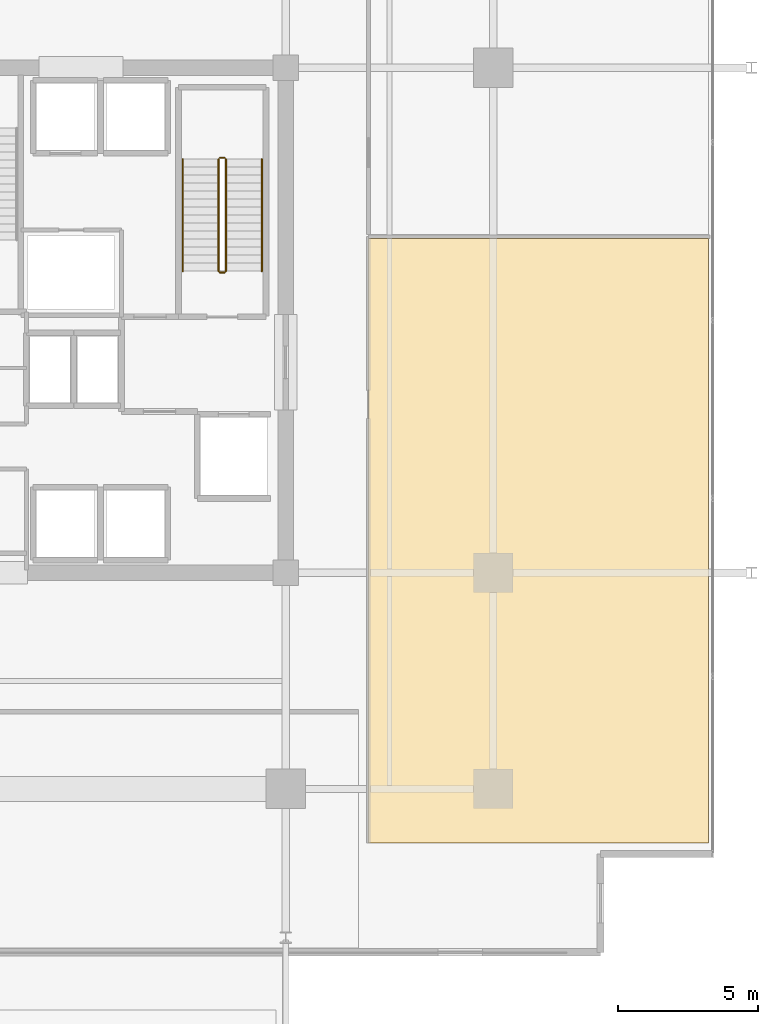
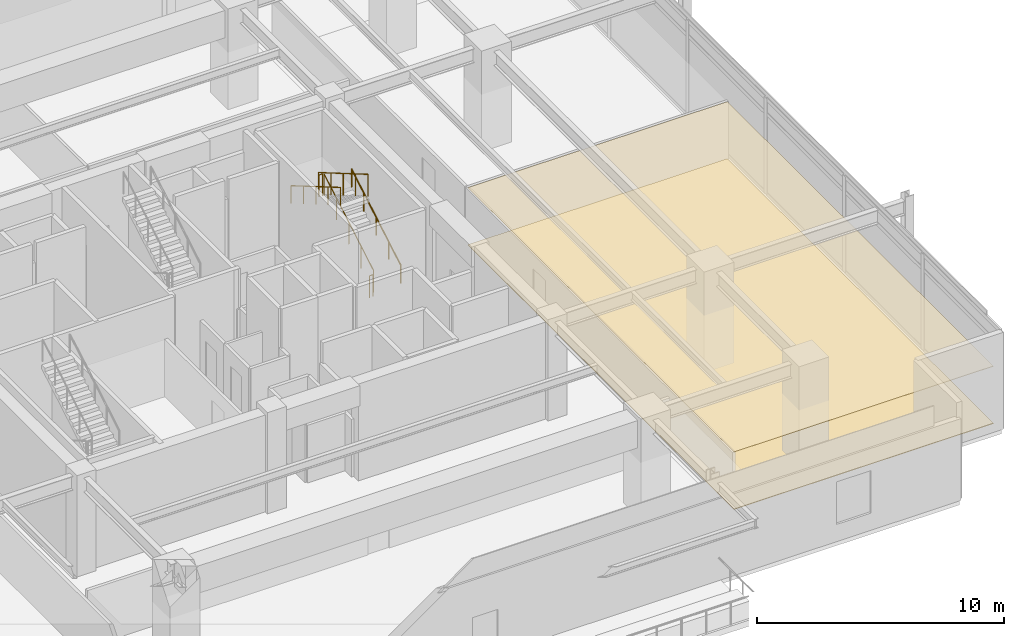
# One storey, part 19 of 21: 6 railings, 2 coverings.
"""IFC4 building model written with IfcOpenShell, lengths in metres."""

from ifc_helpers import new_model, si_unit, direction, frame, origin, origin_2d, place, context, subcontext, project, spatial, polyline, circle, outline, extrude, material, layer, layer_set, type_object, element, save


model = new_model("IFC4")

# Units and contexts
model_context = context("Model", 3, precision=1e-05, world=origin(), true_north=direction((0.0, 1.0)))
body_context = subcontext(model_context, "Body", "Model", "MODEL_VIEW")
ifc_project = project(units=[si_unit("LENGTHUNIT", "METRE"), si_unit("AREAUNIT", "SQUARE_METRE"), si_unit("VOLUMEUNIT", "CUBIC_METRE"), si_unit("PLANEANGLEUNIT", "RADIAN"), si_unit("MASSUNIT", "GRAM", prefix="KILO")], contexts=[model_context])

# Site, building, storey
site_placement = place(None, origin())
site = spatial("IfcSite", under=ifc_project, at=site_placement, CompositionType="ELEMENT")
building_placement = place(site_placement, origin())
building = spatial("IfcBuilding", under=site, at=building_placement, Name="Kovane Verandah Tower", CompositionType="ELEMENT")
storey_placement = place(building_placement, frame((0.0, 0.0, 238.199951171875)))
storey = spatial("IfcBuildingStorey", under=building, at=storey_placement, Name="L55", CompositionType="ELEMENT", Elevation=238.199951171875)

# Coverings
ifc_material_1 = material(Name="Perforated Acoustic Mineral-Fibre Ceiling Tile", Category="gypsum")
ifc_layer_1 = layer(ifc_material_1, 0.02490234375)
ifc_layer_set_1 = layer_set([ifc_layer_1], Name="Perforated Acoustic Mineral-Fibre Ceiling Tile")
covering_type_1 = type_object("IfcCoveringType", Name="CV-CEIL-25", PredefinedType="CEILING", material=ifc_layer_set_1)
covering_1_placement = place(storey_placement, frame((0.0, 0.0, 2.824951171875)))
element("IfcCovering", 1, at=covering_1_placement, inside=storey, type_object=covering_type_1, Name="L55 Open Plan Office E1 Acoustic Ceiling", PredefinedType="CEILING", context=body_context, shape_type="SweptSolid", body=[
    extrude(outline(polyline([(53.949951171875, 8.876708984375), (66.070556640625, 8.876708984375), (66.070556640625, 30.40966796875), (53.949951171875, 30.40966796875), (53.949951171875, 8.876708984375)])), origin(), (0.0, 0.0, 1.0), 0.025146484375),
])
ifc_material_2 = material(Name="Polished Terrazzo and Raised-Access Carpet Tile Finish", Category="concrete")
ifc_layer_2 = layer(ifc_material_2, 0.030029296875)
ifc_layer_set_2 = layer_set([ifc_layer_2], Name="Polished Terrazzo and Raised-Access Carpet Tile Finish")
covering_type_2 = type_object("IfcCoveringType", Name="CV-FLOR-30", PredefinedType="FLOORING", material=ifc_layer_set_2)
covering_2_placement = place(storey_placement, origin())
element("IfcCovering", 2, at=covering_2_placement, inside=storey, type_object=covering_type_2, Name="L55 Open Plan Office E1 Floor Finish", PredefinedType="FLOORING", context=body_context, shape_type="SweptSolid", body=[
    extrude(outline(polyline([(53.949951171875, 8.876708984375), (66.070556640625, 8.876708984375), (66.070556640625, 30.40966796875), (53.949951171875, 30.40966796875), (53.949951171875, 8.876708984375)])), origin(), (0.0, 0.0, 1.0), 0.030029296875),
])

# Railings
ifc_material_3 = material(Name="Brushed Stainless Steel Handrail", Category="steel")
railing_type_1 = type_object("IfcRailingType", Name="RL-HAND-920", PredefinedType="HANDRAIL", material=ifc_material_3)
railing_1_placement = place(storey_placement, frame((50.14990234375, 29.25, 0.166748046875)))
element("IfcRailing", 3, at=railing_1_placement, inside=storey, type_object=railing_type_1, Name="L55 ST-02 stair handrail 1", PredefinedType="HANDRAIL", context=body_context, shape_type="SweptSolid", body=[
    extrude(circle(Radius=0.02392578125, at=origin_2d()), frame((0.0, 0.0, 0.8759765625), z_axis=(0.0, 0.863236243904, 0.504800145811), x_axis=(-1.0, 0.0, 0.0)), (0.0, 0.0, 1.0), 4.6220703125),
    extrude(circle(Radius=0.02099609375, at=origin_2d()), origin(), (0.0, 0.0, 1.0), 0.851806640625),
    extrude(circle(Radius=0.02099609375, at=origin_2d()), frame((0.0, 0.99755859375, 0.583251953125)), (0.0, 0.0, 1.0), 0.851806640625),
    extrude(circle(Radius=0.02099609375, at=origin_2d()), frame((0.0, 1.9951171875, 1.16650390625)), (0.0, 0.0, 1.0), 0.851806640625),
    extrude(circle(Radius=0.02099609375, at=origin_2d()), frame((0.0, 2.992431640625, 1.75)), (0.0, 0.0, 1.0), 0.851806640625),
    extrude(circle(Radius=0.02099609375, at=origin_2d()), frame((0.0, 3.989990234375, 2.333251953125)), (0.0, 0.0, 1.0), 0.851806640625),
])
railing_2_placement = place(storey_placement, frame((47.330078125, 33.239990234375, 2.666748046875)))
element("IfcRailing", 4, at=railing_2_placement, inside=storey, type_object=railing_type_1, Name="L55 ST-02 stair handrail 2", PredefinedType="HANDRAIL", context=body_context, shape_type="SweptSolid", body=[
    extrude(circle(Radius=0.02392578125, at=origin_2d()), frame((0.0, 0.0, 0.8759765625), z_axis=(0.0, -0.863236243904, 0.504800145811), x_axis=(1.0, 0.0, 0.0)), (0.0, 0.0, 1.0), 4.6220703125),
    extrude(circle(Radius=0.02099609375, at=origin_2d()), origin(), (0.0, 0.0, 1.0), 0.851806640625),
    extrude(circle(Radius=0.02099609375, at=origin_2d()), frame((0.0, -0.99755859375, 0.583251953125)), (0.0, 0.0, 1.0), 0.851806640625),
    extrude(circle(Radius=0.02099609375, at=origin_2d()), frame((0.0, -1.9951171875, 1.16650390625)), (0.0, 0.0, 1.0), 0.851806640625),
    extrude(circle(Radius=0.02099609375, at=origin_2d()), frame((0.0, -2.992431640625, 1.75)), (0.0, 0.0, 1.0), 0.851806640625),
    extrude(circle(Radius=0.02099609375, at=origin_2d()), frame((0.0, -3.989990234375, 2.333251953125)), (0.0, 0.0, 1.0), 0.851806640625),
])
ifc_material_4 = material(Name="Painted Steel Stairwell Guardrail", Category="steel")
railing_type_2 = type_object("IfcRailingType", Name="RL-STGUARD-1120", PredefinedType="GUARDRAIL", material=ifc_material_4)
railing_3_placement = place(storey_placement, frame((48.8701171875, 29.25, 0.166748046875)))
element("IfcRailing", 5, at=railing_3_placement, inside=storey, type_object=railing_type_2, Name="L55 ST-02 stair guard 1", PredefinedType="GUARDRAIL", context=body_context, shape_type="SweptSolid", body=[
    extrude(circle(Radius=0.02392578125, at=origin_2d()), frame((0.0, 0.0, 1.076171875), z_axis=(0.0, 0.863236243904, 0.504800145811), x_axis=(-1.0, 0.0, 0.0)), (0.0, 0.0, 1.0), 4.6220703125),
    extrude(circle(Radius=0.02099609375, at=origin_2d()), origin(), (0.0, 0.0, 1.0), 1.052001953125),
    extrude(circle(Radius=0.02099609375, at=origin_2d()), frame((0.0, 0.99755859375, 0.583251953125)), (0.0, 0.0, 1.0), 1.052001953125),
    extrude(circle(Radius=0.02099609375, at=origin_2d()), frame((0.0, 1.9951171875, 1.16650390625)), (0.0, 0.0, 1.0), 1.052001953125),
    extrude(circle(Radius=0.02099609375, at=origin_2d()), frame((0.0, 2.992431640625, 1.75)), (0.0, 0.0, 1.0), 1.052001953125),
    extrude(circle(Radius=0.02099609375, at=origin_2d()), frame((0.0, 3.989990234375, 2.333251953125)), (0.0, 0.0, 1.0), 1.052001953125),
])
railing_4_placement = place(storey_placement, frame((48.820068359375, 33.2900390625, 2.5)))
element("IfcRailing", 6, at=railing_4_placement, inside=storey, type_object=railing_type_2, Name="L55 ST-02 stair guard 2", PredefinedType="GUARDRAIL", context=body_context, shape_type="SweptSolid", body=[
    extrude(circle(Radius=0.02392578125, at=origin_2d()), frame((0.0, 0.0, 1.076171875), z_axis=(-1.0, 0.0, 0.0), x_axis=(0.0, -1.0, 0.0)), (0.0, 0.0, 1.0), 0.16015625),
    extrude(circle(Radius=0.02099609375, at=origin_2d()), origin(), (0.0, 0.0, 1.0), 1.052001953125),
    extrude(circle(Radius=0.02099609375, at=origin_2d()), frame((-0.16015625, 0.0, 0.0)), (0.0, 0.0, 1.0), 1.052001953125),
])
railing_5_placement = place(storey_placement, frame((48.610107421875, 33.239990234375, 2.666748046875)))
element("IfcRailing", 7, at=railing_5_placement, inside=storey, type_object=railing_type_2, Name="L55 ST-02 stair guard 3", PredefinedType="GUARDRAIL", context=body_context, shape_type="SweptSolid", body=[
    extrude(circle(Radius=0.02392578125, at=origin_2d()), frame((0.0, 0.0, 1.076171875), z_axis=(0.0, -0.863236243904, 0.504800145811), x_axis=(1.0, 0.0, 0.0)), (0.0, 0.0, 1.0), 4.6220703125),
    extrude(circle(Radius=0.02099609375, at=origin_2d()), origin(), (0.0, 0.0, 1.0), 1.052001953125),
    extrude(circle(Radius=0.02099609375, at=origin_2d()), frame((0.0, -0.99755859375, 0.583251953125)), (0.0, 0.0, 1.0), 1.052001953125),
    extrude(circle(Radius=0.02099609375, at=origin_2d()), frame((0.0, -1.9951171875, 1.16650390625)), (0.0, 0.0, 1.0), 1.052001953125),
    extrude(circle(Radius=0.02099609375, at=origin_2d()), frame((0.0, -2.992431640625, 1.75)), (0.0, 0.0, 1.0), 1.052001953125),
    extrude(circle(Radius=0.02099609375, at=origin_2d()), frame((0.0, -3.989990234375, 2.333251953125)), (0.0, 0.0, 1.0), 1.052001953125),
])
railing_6_placement = place(storey_placement, frame((48.820068359375, 29.199951171875, 0.0)))
element("IfcRailing", 8, at=railing_6_placement, inside=storey, type_object=railing_type_2, Name="L55 ST-02 stair guard 4", PredefinedType="GUARDRAIL", context=body_context, shape_type="SweptSolid", body=[
    extrude(circle(Radius=0.02392578125, at=origin_2d()), frame((0.0, 0.0, 1.076171875), z_axis=(-1.0, 0.0, 0.0), x_axis=(0.0, -1.0, 0.0)), (0.0, 0.0, 1.0), 0.16015625),
    extrude(circle(Radius=0.02099609375, at=origin_2d()), origin(), (0.0, 0.0, 1.0), 1.052001953125),
    extrude(circle(Radius=0.02099609375, at=origin_2d()), frame((-0.16015625, 0.0, 0.0)), (0.0, 0.0, 1.0), 1.052001953125),
])

save(model, "model.ifc")
